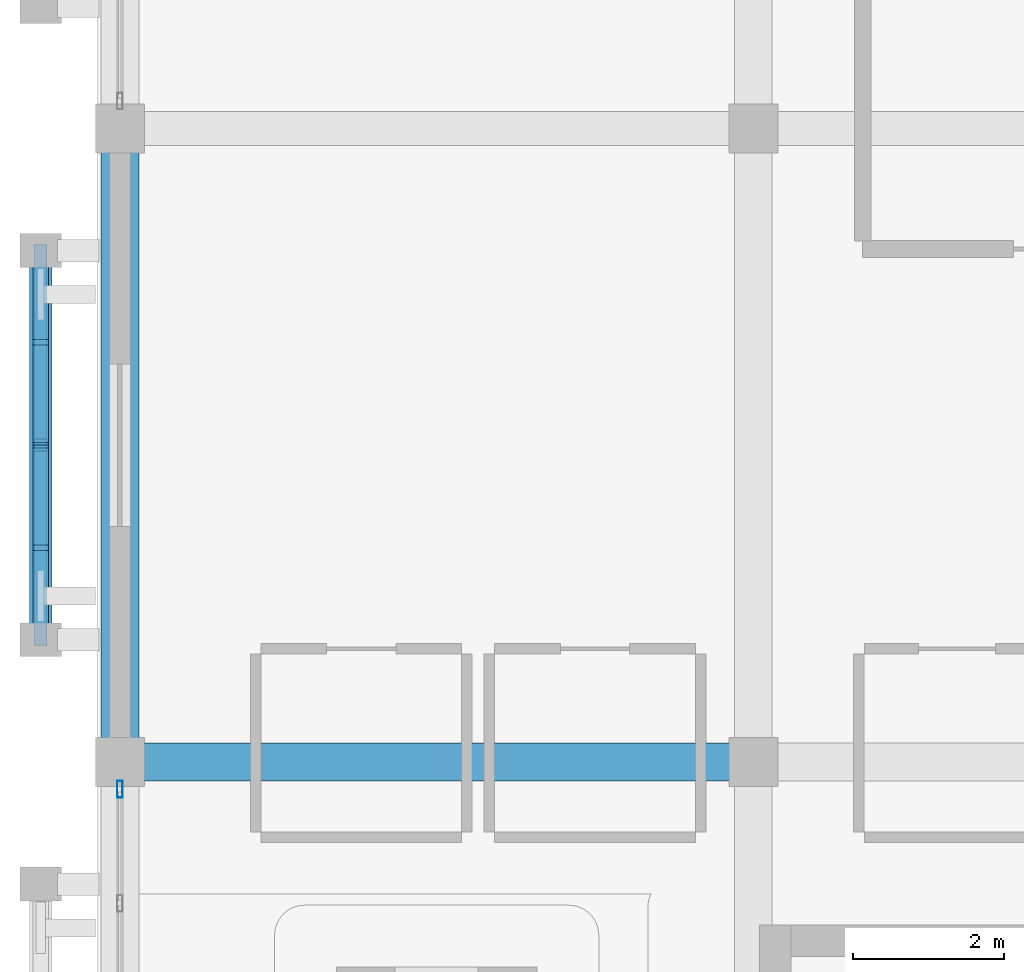
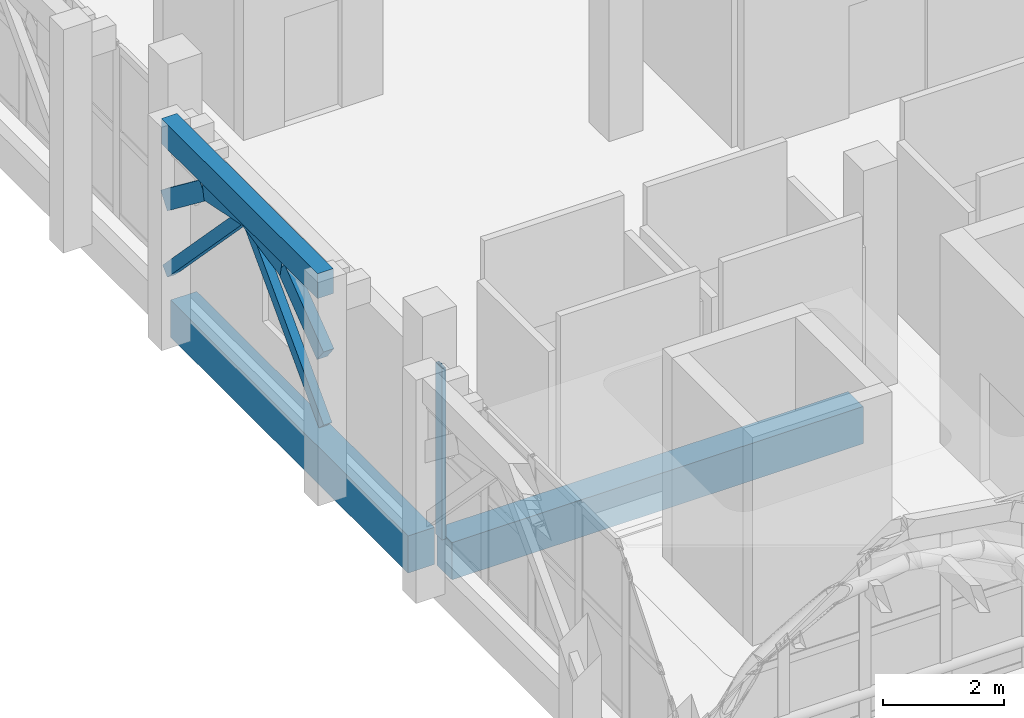
# One storey, part 5 of 22: 7 members, 3 beams, 1 element without a shape of its own.
"""IFC4 building model written with IfcOpenShell, lengths in metres."""

from ifc_helpers import new_model, si_unit, direction, frame, origin, origin_2d, place, context, subcontext, project, spatial, rectangle, hollow_rectangle, extrude, material, layer, layer_set, material_profile, profile_set, type_object, element, aggregate, save


model = new_model("IFC4")

# Units and contexts
model_context = context("Model", 3, precision=1e-05, world=origin(), true_north=direction((0.0, 1.0)))
body_context = subcontext(model_context, "Body", "Model", "MODEL_VIEW")
ifc_project = project(units=[si_unit("LENGTHUNIT", "METRE"), si_unit("AREAUNIT", "SQUARE_METRE"), si_unit("VOLUMEUNIT", "CUBIC_METRE"), si_unit("PLANEANGLEUNIT", "RADIAN"), si_unit("MASSUNIT", "GRAM", prefix="KILO")], contexts=[model_context])

# Site, building, storey
site_placement = place(None, origin())
site = spatial("IfcSite", under=ifc_project, at=site_placement, CompositionType="ELEMENT")
building_placement = place(site_placement, origin())
building = spatial("IfcBuilding", under=site, at=building_placement, Name="Xazarin Passage Department Store", CompositionType="ELEMENT")
storey_placement = place(building_placement, frame((0.0, 0.0, 27.89990234375)))
storey = spatial("IfcBuildingStorey", under=building, at=storey_placement, Name="L06", CompositionType="ELEMENT", Elevation=27.89990234375)

# Curtain wall, member
ifc_material_1 = material(Name="Bronze anodised aluminium", Category="aluminium")
ifc_layer = layer(ifc_material_1, 0.199951171875)
ifc_layer_set = layer_set([ifc_layer], Name="Bronze anodised aluminium")
curtain_wall_type = type_object("IfcCurtainWallType", Name="ARC-CW-VIT2", PredefinedType="NOTDEFINED", material=ifc_layer_set)
curtain_wall_placement = place(storey_placement, origin())
curtain_wall = element("IfcCurtainWall", 1, at=curtain_wall_placement, inside=storey, type_object=curtain_wall_type, Name="L06 V1 Curtain Wall 089", PredefinedType="NOTDEFINED")
ifc_material_profile_1 = material_profile(ifc_material_1, hollow_rectangle(XDim=0.074951171875, YDim=0.219970703125, WallThickness=0.0048828125, at=origin_2d()), Name="ALU 75x220")
ifc_profile_set_1 = profile_set([ifc_material_profile_1], Name="Bronze anodised aluminium")
member_type_1 = type_object("IfcMemberType", Name="ARC-CWM-75x220", PredefinedType="MULLION", material=ifc_profile_set_1)
member_1_placement = place(storey_placement, frame((0.0, 84.4375, 0.0), z_axis=(0.0, 0.0, 1.0), x_axis=(-1.0, 0.0, 0.0)))
member_1 = element("IfcMember", 2, at=member_1_placement, type_object=member_type_1, Name="CW2 mullion 6", PredefinedType="MULLION", context=body_context, shape_type="SweptSolid", body=[
    extrude(hollow_rectangle(XDim=0.074951171875, YDim=0.219970703125, WallThickness=0.0048828125, at=origin_2d()), origin(), (0.0, 0.0, 1.0), 3.4501953125),
])
aggregate(curtain_wall, [member_1])

# Beams
ifc_material_2 = material(Name="Concrete C35/45", Category="concrete")
ifc_material_profile_2 = material_profile(ifc_material_2, rectangle(XDim=0.300048828125, YDim=0.5, at=origin_2d()), Name="RC 300x500")
ifc_profile_set_2 = profile_set([ifc_material_profile_2], Name="Concrete C35/45")
beam_type_1 = type_object("IfcBeamType", Name="STR-BM-LN300x500", PredefinedType="LINTEL", material=ifc_profile_set_2)
beam_1_placement = place(storey_placement, frame((-1.050048828125, 86.419921875, 4.25), z_axis=(0.0, 1.0, 0.0), x_axis=(-1.0, 0.0, 0.0)))
element("IfcBeam", 3, at=beam_1_placement, inside=storey, type_object=beam_type_1, Name="L06 V1 Colonnade Spandrel Beam 012", PredefinedType="LINTEL", context=body_context, shape_type="SweptSolid", body=[
    extrude(rectangle(XDim=0.300048828125, YDim=0.5, at=origin_2d()), origin(), (0.0, 0.0, 1.0), 5.16015625),
])
ifc_material_profile_3 = material_profile(ifc_material_2, rectangle(XDim=0.5, YDim=0.75, at=origin_2d()), Name="RC 500x750")
ifc_profile_set_3 = profile_set([ifc_material_profile_3], Name="Concrete C35/45")
beam_type_2 = type_object("IfcBeamType", Name="STR-BM-SP500x750", PredefinedType="SPANDREL", material=ifc_profile_set_3)
beam_2_placement = place(storey_placement, frame((0.280029296875, 84.800048828125, -0.6748046875), z_axis=(1.0, 0.0, 0.0), x_axis=(0.0, 1.0, 0.0)))
element("IfcBeam", 4, at=beam_2_placement, inside=storey, type_object=beam_type_2, Name="L06 Grid Beam M/1-2", PredefinedType="SPANDREL", context=body_context, shape_type="SweptSolid", body=[
    extrude(rectangle(XDim=0.5, YDim=0.75, at=origin_2d()), origin(), (0.0, 0.0, 1.0), 7.840087890625),
])
beam_3_placement = place(storey_placement, frame((0.0, 85.080078125, -0.6748046875), z_axis=(0.0, 1.0, 0.0), x_axis=(-1.0, 0.0, 0.0)))
element("IfcBeam", 5, at=beam_3_placement, inside=storey, type_object=beam_type_2, Name="L06 Grid Beam 1/M-N", PredefinedType="SPANDREL", context=body_context, shape_type="SweptSolid", body=[
    extrude(rectangle(XDim=0.5, YDim=0.75, at=origin_2d()), origin(), (0.0, 0.0, 1.0), 7.83984375),
])

# Members
ifc_material_3 = material(Name="Concrete C40/50", Category="concrete")
ifc_material_profile_4 = material_profile(ifc_material_3, rectangle(XDim=0.199951171875, YDim=0.360107421875, at=origin_2d()), Name="RC 200x360")
ifc_profile_set_4 = profile_set([ifc_material_profile_4], Name="Concrete C40/50")
member_type_2 = type_object("IfcMemberType", Name="STR-MEM-ARC360", PredefinedType="CHORD", material=ifc_profile_set_4)
member_2_placement = place(storey_placement, frame((-1.050048828125, 86.419921875, 2.830078125), z_axis=(0.0, 0.79440903847, 0.607383140692), x_axis=(-1.0, 0.0, 0.0)))
element("IfcMember", 6, at=member_2_placement, inside=storey, type_object=member_type_2, Name="L06 V1 Pierced Lattice Curved Arch 012.1", PredefinedType="CHORD", context=body_context, shape_type="SweptSolid", body=[
    extrude(rectangle(XDim=0.199951171875, YDim=0.360107421875, at=origin_2d()), origin(), (0.0, 0.0, 1.0), 1.623779296875),
])
for number, where, z_axis, x_axis, name in (
    (7, (-1.050048828125, 87.7099609375, 3.81640625), (0.0, 0.979744705887, 0.200250621188), (-1.0, 0.0, 0.0), "L06 V1 Pierced Lattice Curved Arch 012.2"),
    (8, (-1.050048828125, 89.0, 4.080078125), (0.0, 0.979744705887, -0.200250621188), (-1.0, 0.0, 0.0), "L06 V1 Pierced Lattice Curved Arch 012.3"),
):
    element("IfcMember", number, at=place(storey_placement, frame(where, z_axis=z_axis, x_axis=x_axis)), inside=storey, type_object=member_type_2, Name=name, PredefinedType="CHORD", context=body_context, shape_type="SweptSolid", body=[
        extrude(rectangle(XDim=0.199951171875, YDim=0.360107421875, at=origin_2d()), origin(), (0.0, 0.0, 1.0), 1.316650390625),
    ])
member_3_placement = place(storey_placement, frame((-1.050048828125, 90.2900390625, 3.81640625), z_axis=(0.0, 0.79440903847, -0.607383140692), x_axis=(-1.0, 0.0, 0.0)))
element("IfcMember", 9, at=member_3_placement, inside=storey, type_object=member_type_2, Name="L06 V1 Pierced Lattice Curved Arch 012.4", PredefinedType="CHORD", context=body_context, shape_type="SweptSolid", body=[
    extrude(rectangle(XDim=0.199951171875, YDim=0.360107421875, at=origin_2d()), origin(), (0.0, 0.0, 1.0), 1.623779296875),
])
ifc_material_profile_5 = material_profile(ifc_material_3, rectangle(XDim=0.159912109375, YDim=0.219970703125, at=origin_2d()), Name="RC 160x220")
ifc_profile_set_5 = profile_set([ifc_material_profile_5], Name="Concrete C40/50")
member_type_3 = type_object("IfcMemberType", Name="STR-MEM-TRC220", PredefinedType="CHORD", material=ifc_profile_set_5)
for number, where, z_axis, x_axis, name in (
    (10, (-1.050048828125, 89.0, 4.080078125), (0.0, -0.693558444435, -0.720400363793), (1.0, 0.0, 0.0), "L06 V1 Upper Lattice Tracery Arch 012L"),
    (11, (-1.050048828125, 89.0, 4.080078125), (0.0, 0.693558444435, -0.720400363793), (-1.0, 0.0, 0.0), "L06 V1 Upper Lattice Tracery Arch 012R"),
):
    element("IfcMember", number, at=place(storey_placement, frame(where, z_axis=z_axis, x_axis=x_axis)), inside=storey, type_object=member_type_3, Name=name, PredefinedType="CHORD", context=body_context, shape_type="SweptSolid", body=[
        extrude(rectangle(XDim=0.159912109375, YDim=0.219970703125, at=origin_2d()), origin(), (0.0, 0.0, 1.0), 3.719970703125),
    ])

save(model, "model.ifc")
